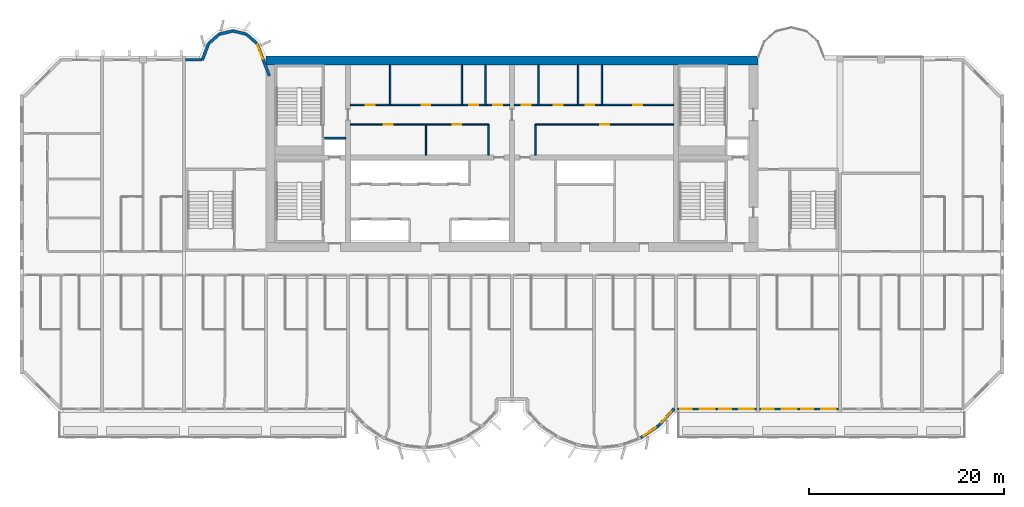
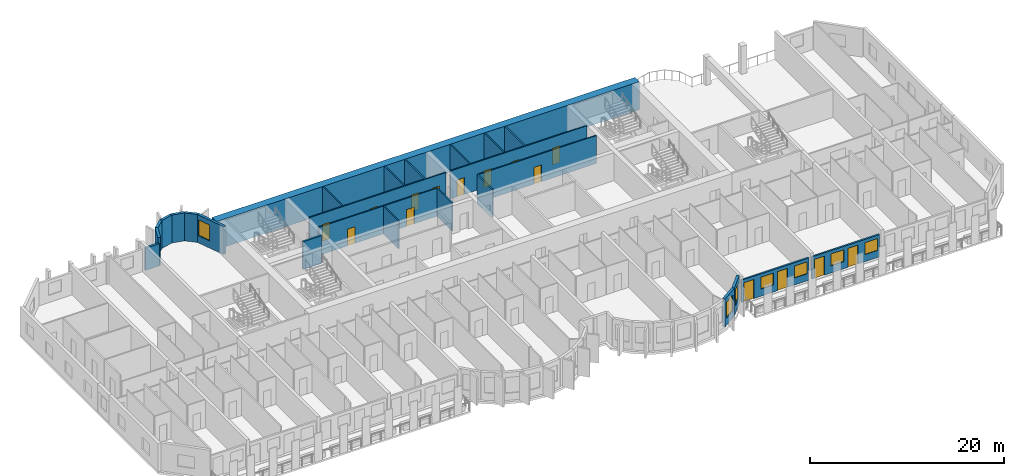
# One storey, part 8 of 15: 26 walls, 15 doors, 7 windows, 22 openings.
"""IFC4 building model written with IfcOpenShell, lengths in metres."""

from ifc_helpers import new_model, si_unit, direction, frame, frame_2d, origin, place, context, subcontext, project, spatial, rectangle, extrude, source, transform, mapped, material, layer, layer_set, type_object, element, fill, save


model = new_model("IFC4")

# Units and contexts
model_context = context("Model", 3, precision=1e-05, world=origin(), true_north=direction((0.0, 1.0)))
body_context = subcontext(model_context, "Body", "Model", "MODEL_VIEW")
ifc_project = project(units=[si_unit("LENGTHUNIT", "METRE"), si_unit("AREAUNIT", "SQUARE_METRE"), si_unit("VOLUMEUNIT", "CUBIC_METRE"), si_unit("PLANEANGLEUNIT", "RADIAN"), si_unit("MASSUNIT", "GRAM", prefix="KILO")], contexts=[model_context])

# Site, building, storey
site_placement = place(None, origin())
site = spatial("IfcSite", under=ifc_project, at=site_placement, CompositionType="ELEMENT")
building_placement = place(site_placement, origin())
building = spatial("IfcBuilding", under=site, at=building_placement, Name="Vanashikhar Sky Hotel", CompositionType="ELEMENT")
storey_placement = place(building_placement, frame((0.0, 0.0, 106.60009765625)))
storey = spatial("IfcBuildingStorey", under=building, at=storey_placement, Name="L25", CompositionType="ELEMENT", Elevation=106.60009765625)

# Wall
ifc_material_1 = material(Name="Concrete M70", Category="concrete")
ifc_layer_1 = layer(ifc_material_1, 0.89990234375)
ifc_layer_set_1 = layer_set([ifc_layer_1], Name="RC core shell wall 900 Concrete M70")
wall_type_1 = type_object("IfcWallType", Name="RC core shell wall 900 Concrete M70", PredefinedType="SHEAR", material=ifc_layer_set_1)
shared_shape_1 = source(origin(), body_context, "Body", "SweptSolid", [
    extrude(rectangle(XDim=50.400146484375, YDim=0.89990234375, at=frame_2d((25.2001953125, 0.0))), origin(), (0.0, 0.0, 1.0), 3.52001953125),
])
wall_1_placement = place(storey_placement, frame((25.199951171875, 41.550048828125, 0.0), z_axis=(0.0, 0.0, 1.0), x_axis=(1.0, 0.0, 0.0)))
element("IfcWall", 1, at=wall_1_placement, inside=storey, type_object=wall_type_1, Name="KW-L25-KN", PredefinedType="SHEAR", context=body_context, shape_type="MappedRepresentation", body=[
    mapped(shared_shape_1, transform((0.0, 0.0, 0.0), scale=1.0)),
])

# Wall, opening, window
ifc_material_2 = material(Name="Concrete M50", Category="concrete")
ifc_layer_2 = layer(ifc_material_2, 0.300048828125)
ifc_layer_set_2 = layer_set([ifc_layer_2], Name="Lobe wall 300")
wall_type_2 = type_object("IfcWallType", Name="Lobe wall 300", PredefinedType="SOLIDWALL", material=ifc_layer_set_2)
shared_shape_2 = source(origin(), body_context, "Body", "SweptSolid", [
    extrude(rectangle(XDim=2.398193359375, YDim=0.300048828125, at=frame_2d((1.19921875, 0.0))), origin(), (0.0, 0.0, 1.0), 3.52001953125),
])
wall_2_placement = place(storey_placement, frame((65.404296875, 4.13134765625, 0.0), z_axis=(0.0, 0.0, 1.0), x_axis=(0.675374189419, 0.737475222815, 0.0)))
wall_2 = element("IfcWall", 2, at=wall_2_placement, inside=storey, type_object=wall_type_2, Name="Lobe wall", PredefinedType="SOLIDWALL", context=body_context, shape_type="MappedRepresentation", body=[
    mapped(shared_shape_2, transform((0.0, 0.0, 0.0), scale=1.0)),
])
shared_shape_3 = source(origin(), body_context, "Body", "SweptSolid", [
    extrude(rectangle(XDim=1.5, YDim=2.0, at=frame_2d((0.75, 1.0))), frame((0.0, 0.16015625, 0.0), z_axis=(0.0, -1.0, 0.0), x_axis=(1.0, 0.0, 0.0)), (0.0, 0.0, 1.0), 0.320068359375),
])
opening_1_placement = place(wall_2_placement, frame((0.44921875, 0.0, 0.89990234375)))
opening_1 = element("IfcOpeningElement", 3, at=opening_1_placement, cuts=wall_2, Name="Opening WN-2", PredefinedType="OPENING", context=body_context, shape_type="MappedRepresentation", body=[
    mapped(shared_shape_3, transform((0.0, 0.0, 0.0), scale=1.0)),
])
ifc_material_3 = material(Name="Glass", Category="glass")
window_type_1 = type_object("IfcWindowType", Name="Lobe window 1500 x 2000", PartitioningType="SINGLE_PANEL", PredefinedType="WINDOW", material=ifc_material_3)
shared_shape_4 = source(origin(), body_context, "Body", "SweptSolid", [
    extrude(rectangle(XDim=1.5, YDim=2.0, at=frame_2d((0.75, 1.0))), frame((0.0, 0.030029296875, 0.0), z_axis=(0.0, -1.0, 0.0), x_axis=(1.0, 0.0, 0.0)), (0.0, 0.0, 1.0), 0.06005859375),
])
window_1_placement = place(opening_1_placement, origin())
window_1 = element("IfcWindow", 4, at=window_1_placement, inside=storey, type_object=window_type_1, Name="Window WN-2", OverallHeight=2.0, OverallWidth=1.5, PartitioningType="SINGLE_PANEL", PredefinedType="WINDOW", context=body_context, shape_type="MappedRepresentation", body=[
    mapped(shared_shape_4, transform((0.0, 0.0, 0.0), scale=1.0)),
])
fill(opening_1, window_1)

shared_shape_5 = source(origin(), body_context, "Body", "SweptSolid", [
    extrude(rectangle(XDim=2.17578125, YDim=0.300048828125, at=frame_2d((1.087890625, 0.0))), origin(), (0.0, 0.0, 1.0), 3.52001953125),
])
wall_3_placement = place(storey_placement, frame((63.59912109375, 2.91650390625, 0.0), z_axis=(0.0, 0.0, 1.0), x_axis=(0.829625727223, 0.558319937607, 0.0)))
wall_3 = element("IfcWall", 5, at=wall_3_placement, inside=storey, type_object=wall_type_2, Name="Lobe wall", PredefinedType="SOLIDWALL", context=body_context, shape_type="MappedRepresentation", body=[
    mapped(shared_shape_5, transform((0.0, 0.0, 0.0), scale=1.0)),
])
opening_2_placement = place(wall_3_placement, frame((0.337890625, 0.0, 0.89990234375)))
opening_2 = element("IfcOpeningElement", 6, at=opening_2_placement, cuts=wall_3, Name="Opening WN-2", PredefinedType="OPENING", context=body_context, shape_type="MappedRepresentation", body=[
    mapped(shared_shape_3, transform((0.0, 0.0, 0.0), scale=1.0)),
])
window_2_placement = place(opening_2_placement, origin())
window_2 = element("IfcWindow", 7, at=window_2_placement, inside=storey, type_object=window_type_1, Name="Window WN-2", OverallHeight=2.0, OverallWidth=1.5, PartitioningType="SINGLE_PANEL", PredefinedType="WINDOW", context=body_context, shape_type="MappedRepresentation", body=[
    mapped(shared_shape_4, transform((0.0, 0.0, 0.0), scale=1.0)),
])
fill(opening_2, window_2)

shared_shape_6 = source(origin(), body_context, "Body", "SweptSolid", [
    extrude(rectangle(XDim=3.55908203125, YDim=0.300048828125, at=frame_2d((1.779541015625, 0.0))), origin(), (0.0, 0.0, 1.0), 3.52001953125),
])
wall_4_placement = place(storey_placement, frame((25.550048828125, 39.968505859375, 0.0), z_axis=(0.0, 0.0, 1.0), x_axis=(-0.35779745313, 0.933799219604, 0.0)))
wall_4 = element("IfcWall", 8, at=wall_4_placement, inside=storey, type_object=wall_type_2, Name="Lobe wall", PredefinedType="SOLIDWALL", context=body_context, shape_type="MappedRepresentation", body=[
    mapped(shared_shape_6, transform((0.0, 0.0, 0.0), scale=1.0)),
])
opening_3_placement = place(wall_4_placement, frame((1.9033203125, 0.0, 0.89990234375)))
opening_3 = element("IfcOpeningElement", 9, at=opening_3_placement, cuts=wall_4, Name="Opening WN-2", PredefinedType="OPENING", context=body_context, shape_type="MappedRepresentation", body=[
    mapped(shared_shape_3, transform((0.0, 0.0, 0.0), scale=1.0)),
])
window_3_placement = place(opening_3_placement, origin())
window_3 = element("IfcWindow", 10, at=window_3_placement, inside=storey, type_object=window_type_1, Name="Window WN-2", OverallHeight=2.0, OverallWidth=1.5, PartitioningType="SINGLE_PANEL", PredefinedType="WINDOW", context=body_context, shape_type="MappedRepresentation", body=[
    mapped(shared_shape_4, transform((0.0, 0.0, 0.0), scale=1.0)),
])
fill(opening_3, window_3)

# Walls
shared_shape_7 = source(origin(), body_context, "Body", "SweptSolid", [
    extrude(rectangle(XDim=1.440185546875, YDim=0.300048828125, at=frame_2d((0.72021484375, 0.0))), origin(), (0.0, 0.0, 1.0), 3.52001953125),
])
wall_5_placement = place(storey_placement, frame((24.276611328125, 43.2919921875, 0.0), z_axis=(0.0, 0.0, 1.0), x_axis=(-0.749649827867, 0.661834673902, 0.0)))
element("IfcWall", 11, at=wall_5_placement, inside=storey, type_object=wall_type_2, Name="Lobe wall", PredefinedType="SOLIDWALL", context=body_context, shape_type="MappedRepresentation", body=[
    mapped(shared_shape_7, transform((0.0, 0.0, 0.0), scale=1.0)),
])
shared_shape_8 = source(origin(), body_context, "Body", "SweptSolid", [
    extrude(rectangle(XDim=1.4384765625, YDim=0.300048828125, at=frame_2d((0.71923828125, 0.0))), origin(), (0.0, 0.0, 1.0), 3.52001953125),
])
wall_6_placement = place(storey_placement, frame((23.197021484375, 44.2451171875, 0.0), z_axis=(0.0, 0.0, 1.0), x_axis=(-0.971152283879, 0.238460146601, 0.0)))
element("IfcWall", 12, at=wall_6_placement, inside=storey, type_object=wall_type_2, Name="Lobe wall", PredefinedType="SOLIDWALL", context=body_context, shape_type="MappedRepresentation", body=[
    mapped(shared_shape_8, transform((0.0, 0.0, 0.0), scale=1.0)),
])
shared_shape_9 = source(origin(), body_context, "Body", "SweptSolid", [
    extrude(rectangle(XDim=1.438720703125, YDim=0.300048828125, at=frame_2d((0.71923828125, 0.0))), origin(), (0.0, 0.0, 1.0), 3.52001953125),
])
wall_7_placement = place(storey_placement, frame((21.800048828125, 44.588134765625, 0.0), z_axis=(0.0, 0.0, 1.0), x_axis=(-0.971161932466, -0.238420848351, 0.0)))
element("IfcWall", 13, at=wall_7_placement, inside=storey, type_object=wall_type_2, Name="Lobe wall", PredefinedType="SOLIDWALL", context=body_context, shape_type="MappedRepresentation", body=[
    mapped(shared_shape_9, transform((0.0, 0.0, 0.0), scale=1.0)),
])
shared_shape_10 = source(origin(), body_context, "Body", "SweptSolid", [
    extrude(rectangle(XDim=1.43994140625, YDim=0.300048828125, at=frame_2d((0.719970703125, 0.0))), origin(), (0.0, 0.0, 1.0), 3.52001953125),
])
wall_8_placement = place(storey_placement, frame((20.40283203125, 44.2451171875, 0.0), z_axis=(0.0, 0.0, 1.0), x_axis=(-0.74957555648, -0.661918790432, 0.0)))
element("IfcWall", 14, at=wall_8_placement, inside=storey, type_object=wall_type_2, Name="Lobe wall", PredefinedType="SOLIDWALL", context=body_context, shape_type="MappedRepresentation", body=[
    mapped(shared_shape_10, transform((0.0, 0.0, 0.0), scale=1.0)),
])
shared_shape_11 = source(origin(), body_context, "Body", "SweptSolid", [
    extrude(rectangle(XDim=1.81201171875, YDim=0.300048828125, at=frame_2d((0.906005859375, 0.0))), origin(), (0.0, 0.0, 1.0), 3.52001953125),
])
wall_9_placement = place(storey_placement, frame((19.323486328125, 43.2919921875, 0.0), z_axis=(0.0, 0.0, 1.0), x_axis=(-0.357877270961, -0.93376863244, 0.0)))
element("IfcWall", 15, at=wall_9_placement, inside=storey, type_object=wall_type_2, Name="Lobe wall", PredefinedType="SOLIDWALL", context=body_context, shape_type="MappedRepresentation", body=[
    mapped(shared_shape_11, transform((0.0, 0.0, 0.0), scale=1.0)),
])

# Wall, openings, windows, doors
ifc_layer_3 = layer(ifc_material_2, 0.199951171875)
ifc_layer_set_3 = layer_set([ifc_layer_3], Name="Front window wall 200")
wall_type_3 = type_object("IfcWallType", Name="Front window wall 200", PredefinedType="SOLIDWALL", material=ifc_layer_set_3)
shared_shape_12 = source(origin(), body_context, "Body", "SweptSolid", [
    extrude(rectangle(XDim=8.050048828125, YDim=0.199951171875, at=frame_2d((4.02490234375, 0.0))), origin(), (0.0, 0.0, 1.0), 2.81982421875),
])
wall_10_placement = place(storey_placement, frame((67.375, 5.85009765625, 0.0), z_axis=(0.0, 0.0, 1.0), x_axis=(1.0, 0.0, 0.0)))
wall_10 = element("IfcWall", 16, at=wall_10_placement, inside=storey, type_object=wall_type_3, Name="Front window wall", PredefinedType="SOLIDWALL", context=body_context, shape_type="MappedRepresentation", body=[
    mapped(shared_shape_12, transform((0.0, 0.0, 0.0), scale=1.0)),
])
shared_shape_13 = source(origin(), body_context, "Body", "SweptSolid", [
    extrude(rectangle(XDim=1.199951171875, YDim=2.39990234375, at=frame_2d((0.60009765625, 1.199951171875))), frame((0.0, 0.10986328125, 0.0), z_axis=(0.0, -1.0, 0.0), x_axis=(1.0, 0.0, 0.0)), (0.0, 0.0, 1.0), 0.219970703125),
])
opening_4_placement = place(wall_10_placement, frame((0.25, 0.0, 0.0)))
opening_4 = element("IfcOpeningElement", 17, at=opening_4_placement, cuts=wall_10, Name="Opening BD-08", PredefinedType="OPENING", context=body_context, shape_type="MappedRepresentation", body=[
    mapped(shared_shape_13, transform((0.0, 0.0, 0.0), scale=1.0)),
])
shared_shape_14 = source(origin(), body_context, "Body", "SweptSolid", [
    extrude(rectangle(XDim=1.5, YDim=1.5, at=frame_2d((0.75, 0.75))), frame((0.0, 0.10986328125, 0.0), z_axis=(0.0, -1.0, 0.0), x_axis=(1.0, 0.0, 0.0)), (0.0, 0.0, 1.0), 0.219970703125),
])
opening_5_placement = place(wall_10_placement, frame((2.27490234375, 0.0, 0.89990234375)))
opening_5 = element("IfcOpeningElement", 18, at=opening_5_placement, cuts=wall_10, Name="Opening WN-1", PredefinedType="OPENING", context=body_context, shape_type="MappedRepresentation", body=[
    mapped(shared_shape_14, transform((0.0, 0.0, 0.0), scale=1.0)),
])
opening_6_placement = place(wall_10_placement, frame((4.27490234375, 0.0, 0.0)))
opening_6 = element("IfcOpeningElement", 19, at=opening_6_placement, cuts=wall_10, Name="Opening BD-09", PredefinedType="OPENING", context=body_context, shape_type="MappedRepresentation", body=[
    mapped(shared_shape_13, transform((0.0, 0.0, 0.0), scale=1.0)),
])
opening_7_placement = place(wall_10_placement, frame((6.300048828125, 0.0, 0.89990234375)))
opening_7 = element("IfcOpeningElement", 20, at=opening_7_placement, cuts=wall_10, Name="Opening WN-1", PredefinedType="OPENING", context=body_context, shape_type="MappedRepresentation", body=[
    mapped(shared_shape_14, transform((0.0, 0.0, 0.0), scale=1.0)),
])
window_type_2 = type_object("IfcWindowType", Name="Window 1500 x 1500", PartitioningType="SINGLE_PANEL", PredefinedType="WINDOW", material=ifc_material_3)
shared_shape_15 = source(origin(), body_context, "Body", "SweptSolid", [
    extrude(rectangle(XDim=1.5, YDim=1.5, at=frame_2d((0.75, 0.75))), frame((0.0, 0.030029296875, 0.0), z_axis=(0.0, -1.0, 0.0), x_axis=(1.0, 0.0, 0.0)), (0.0, 0.0, 1.0), 0.06005859375),
])
window_4_placement = place(opening_5_placement, origin())
window_4 = element("IfcWindow", 21, at=window_4_placement, inside=storey, type_object=window_type_2, Name="Window WN-1", OverallHeight=1.5, OverallWidth=1.5, PartitioningType="SINGLE_PANEL", PredefinedType="WINDOW", context=body_context, shape_type="MappedRepresentation", body=[
    mapped(shared_shape_15, transform((0.0, 0.0, 0.0), scale=1.0)),
])
fill(opening_5, window_4)
window_5_placement = place(opening_7_placement, origin())
window_5 = element("IfcWindow", 22, at=window_5_placement, inside=storey, type_object=window_type_2, Name="Window WN-1", OverallHeight=1.5, OverallWidth=1.5, PartitioningType="SINGLE_PANEL", PredefinedType="WINDOW", context=body_context, shape_type="MappedRepresentation", body=[
    mapped(shared_shape_15, transform((0.0, 0.0, 0.0), scale=1.0)),
])
fill(opening_7, window_5)
ifc_material_4 = material(Name="Aluminium", Category="aluminium")
door_type_1 = type_object("IfcDoorType", Name="Balcony sliding door 1200 x 2400", OperationType="NOTDEFINED", PredefinedType="DOOR", material=ifc_material_4)
shared_shape_16 = source(origin(), body_context, "Body", "SweptSolid", [
    extrude(rectangle(XDim=1.199951171875, YDim=2.39990234375, at=frame_2d((0.60009765625, 1.199951171875))), frame((0.0, 0.02490234375, 0.0), z_axis=(0.0, -1.0, 0.0), x_axis=(1.0, 0.0, 0.0)), (0.0, 0.0, 1.0), 0.050048828125),
])
door_1_placement = place(opening_4_placement, origin())
door_1 = element("IfcDoor", 23, at=door_1_placement, inside=storey, type_object=door_type_1, Name="Balcony sliding door", OperationType="SLIDING_TO_RIGHT", OverallHeight=2.39990234375, OverallWidth=1.199951171875, PredefinedType="DOOR", context=body_context, shape_type="MappedRepresentation", body=[
    mapped(shared_shape_16, transform((0.0, 0.0, 0.0), scale=1.0)),
])
fill(opening_4, door_1)
door_2_placement = place(opening_6_placement, origin())
door_2 = element("IfcDoor", 24, at=door_2_placement, inside=storey, type_object=door_type_1, Name="Balcony sliding door", OperationType="SLIDING_TO_LEFT", OverallHeight=2.39990234375, OverallWidth=1.199951171875, PredefinedType="DOOR", context=body_context, shape_type="MappedRepresentation", body=[
    mapped(shared_shape_16, transform((0.0, 0.0, 0.0), scale=1.0)),
])
fill(opening_6, door_2)

wall_11_placement = place(storey_placement, frame((75.77490234375, 5.85009765625, 0.0), z_axis=(0.0, 0.0, 1.0), x_axis=(1.0, 0.0, 0.0)))
wall_11 = element("IfcWall", 25, at=wall_11_placement, inside=storey, type_object=wall_type_3, Name="Front window wall", PredefinedType="SOLIDWALL", context=body_context, shape_type="MappedRepresentation", body=[
    mapped(shared_shape_12, transform((0.0, 0.0, 0.0), scale=1.0)),
])
opening_8_placement = place(wall_11_placement, frame((0.25, 0.0, 0.0)))
opening_8 = element("IfcOpeningElement", 26, at=opening_8_placement, cuts=wall_11, Name="Opening BD-10", PredefinedType="OPENING", context=body_context, shape_type="MappedRepresentation", body=[
    mapped(shared_shape_13, transform((0.0, 0.0, 0.0), scale=1.0)),
])
opening_9_placement = place(wall_11_placement, frame((2.27490234375, 0.0, 0.89990234375)))
opening_9 = element("IfcOpeningElement", 27, at=opening_9_placement, cuts=wall_11, Name="Opening WN-1", PredefinedType="OPENING", context=body_context, shape_type="MappedRepresentation", body=[
    mapped(shared_shape_14, transform((0.0, 0.0, 0.0), scale=1.0)),
])
opening_10_placement = place(wall_11_placement, frame((4.27490234375, 0.0, 0.0)))
opening_10 = element("IfcOpeningElement", 28, at=opening_10_placement, cuts=wall_11, Name="Opening BD-11", PredefinedType="OPENING", context=body_context, shape_type="MappedRepresentation", body=[
    mapped(shared_shape_13, transform((0.0, 0.0, 0.0), scale=1.0)),
])
opening_11_placement = place(wall_11_placement, frame((6.300048828125, 0.0, 0.89990234375)))
opening_11 = element("IfcOpeningElement", 29, at=opening_11_placement, cuts=wall_11, Name="Opening WN-1", PredefinedType="OPENING", context=body_context, shape_type="MappedRepresentation", body=[
    mapped(shared_shape_14, transform((0.0, 0.0, 0.0), scale=1.0)),
])
window_6_placement = place(opening_9_placement, origin())
window_6 = element("IfcWindow", 30, at=window_6_placement, inside=storey, type_object=window_type_2, Name="Window WN-1", OverallHeight=1.5, OverallWidth=1.5, PartitioningType="SINGLE_PANEL", PredefinedType="WINDOW", context=body_context, shape_type="MappedRepresentation", body=[
    mapped(shared_shape_15, transform((0.0, 0.0, 0.0), scale=1.0)),
])
fill(opening_9, window_6)
window_7_placement = place(opening_11_placement, origin())
window_7 = element("IfcWindow", 31, at=window_7_placement, inside=storey, type_object=window_type_2, Name="Window WN-1", OverallHeight=1.5, OverallWidth=1.5, PartitioningType="SINGLE_PANEL", PredefinedType="WINDOW", context=body_context, shape_type="MappedRepresentation", body=[
    mapped(shared_shape_15, transform((0.0, 0.0, 0.0), scale=1.0)),
])
fill(opening_11, window_7)
door_3_placement = place(opening_8_placement, origin())
door_3 = element("IfcDoor", 32, at=door_3_placement, inside=storey, type_object=door_type_1, Name="Balcony sliding door", OperationType="SLIDING_TO_RIGHT", OverallHeight=2.39990234375, OverallWidth=1.199951171875, PredefinedType="DOOR", context=body_context, shape_type="MappedRepresentation", body=[
    mapped(shared_shape_16, transform((0.0, 0.0, 0.0), scale=1.0)),
])
fill(opening_8, door_3)
door_4_placement = place(opening_10_placement, origin())
door_4 = element("IfcDoor", 33, at=door_4_placement, inside=storey, type_object=door_type_1, Name="Balcony sliding door", OperationType="SLIDING_TO_LEFT", OverallHeight=2.39990234375, OverallWidth=1.199951171875, PredefinedType="DOOR", context=body_context, shape_type="MappedRepresentation", body=[
    mapped(shared_shape_16, transform((0.0, 0.0, 0.0), scale=1.0)),
])
fill(opening_10, door_4)

# Walls
ifc_layer_4 = layer(ifc_material_2, 0.25)
ifc_layer_set_4 = layer_set([ifc_layer_4], Name="Rear and end board-marked wall 250")
wall_type_4 = type_object("IfcWallType", Name="Rear and end board-marked wall 250", PredefinedType="SOLIDWALL", material=ifc_layer_set_4)
shared_shape_17 = source(origin(), body_context, "Body", "SweptSolid", [
    extrude(rectangle(XDim=1.682861328125, YDim=0.25, at=frame_2d((0.84130859375, 0.0))), origin(), (0.0, 0.0, 1.0), 2.81982421875),
])
wall_12_placement = place(storey_placement, frame((18.657958984375, 41.625, 0.0), z_axis=(0.0, 0.0, 1.0), x_axis=(-1.0, 0.0, 0.0)))
element("IfcWall", 34, at=wall_12_placement, inside=storey, type_object=wall_type_4, Name="Rear board-marked wall", PredefinedType="SOLIDWALL", context=body_context, shape_type="MappedRepresentation", body=[
    mapped(shared_shape_17, transform((0.0, 0.0, 0.0), scale=1.0)),
])
ifc_material_5 = material(Name="Gypsum board partition")
ifc_layer_5 = layer(ifc_material_5, 0.14990234375)
ifc_layer_set_5 = layer_set([ifc_layer_5], Name="Service partition 150")
wall_type_5 = type_object("IfcWallType", Name="Service partition 150", PredefinedType="PARTITIONING", material=ifc_layer_set_5)
shared_shape_18 = source(origin(), body_context, "Body", "SweptSolid", [
    extrude(rectangle(XDim=3.14990234375, YDim=0.14990234375, at=frame_2d((1.574951171875, 0.0))), origin(), (0.0, 0.0, 1.0), 3.52001953125),
])
for number, where, z_axis, x_axis, name in (
    (35, (48.0, 31.85009765625, 0.0), (0.0, 0.0, 1.0), (0.0, 1.0, 0.0), "Service partition 150"),
    (36, (41.591064453125, 31.85009765625, 0.0), (0.0, 0.0, 1.0), (0.0, 1.0, 0.0), "Service partition 150"),
    (37, (52.800048828125, 31.85009765625, 0.0), (0.0, 0.0, 1.0), (0.0, 1.0, 0.0), "Service partition 150"),
):
    element("IfcWall", number, at=place(storey_placement, frame(where, z_axis=z_axis, x_axis=x_axis)), inside=storey, type_object=wall_type_5, Name=name, PredefinedType="PARTITIONING", context=body_context, shape_type="MappedRepresentation", body=[
        mapped(shared_shape_18, transform((0.0, 0.0, 0.0), scale=1.0)),
    ])

# Wall, openings, doors
shared_shape_19 = source(origin(), body_context, "Body", "SweptSolid", [
    extrude(rectangle(XDim=14.14990234375, YDim=0.14990234375, at=frame_2d((7.074951171875, 0.0))), origin(), (0.0, 0.0, 1.0), 3.52001953125),
])
wall_13_placement = place(storey_placement, frame((33.85009765625, 35.0, 0.0), z_axis=(0.0, 0.0, 1.0), x_axis=(1.0, 0.0, 0.0)))
wall_13 = element("IfcWall", 38, at=wall_13_placement, inside=storey, type_object=wall_type_5, Name="Service partition 150", PredefinedType="PARTITIONING", context=body_context, shape_type="MappedRepresentation", body=[
    mapped(shared_shape_19, transform((0.0, 0.0, 0.0), scale=1.0)),
])
shared_shape_20 = source(origin(), body_context, "Body", "SweptSolid", [
    extrude(rectangle(XDim=0.89990234375, YDim=2.10009765625, at=frame_2d((0.449951171875, 1.050048828125))), frame((0.0, 0.0849609375, 0.0), z_axis=(0.0, -1.0, 0.0), x_axis=(1.0, 0.0, 0.0)), (0.0, 0.0, 1.0), 0.169921875),
])
opening_12_placement = place(wall_13_placement, frame((3.4208984375, 0.0, 0.0)))
opening_12 = element("IfcOpeningElement", 39, at=opening_12_placement, cuts=wall_13, Name="Opening DC-4-A", PredefinedType="OPENING", context=body_context, shape_type="MappedRepresentation", body=[
    mapped(shared_shape_20, transform((0.0, 0.0, 0.0), scale=1.0)),
])
opening_13_placement = place(wall_13_placement, frame((10.4580078125, 0.0, 0.0)))
opening_13 = element("IfcOpeningElement", 40, at=opening_13_placement, cuts=wall_13, Name="Opening DC-4-A", PredefinedType="OPENING", context=body_context, shape_type="MappedRepresentation", body=[
    mapped(shared_shape_20, transform((0.0, 0.0, 0.0), scale=1.0)),
])
ifc_material_6 = material(Name="Steel", Category="steel")
door_type_2 = type_object("IfcDoorType", Name="Service door 900 FD60", OperationType="NOTDEFINED", PredefinedType="DOOR", material=ifc_material_6)
shared_shape_21 = source(origin(), body_context, "Body", "SweptSolid", [
    extrude(rectangle(XDim=0.89990234375, YDim=2.10009765625, at=frame_2d((0.449951171875, 1.050048828125))), frame((0.0, 0.02490234375, 0.0), z_axis=(0.0, -1.0, 0.0), x_axis=(1.0, 0.0, 0.0)), (0.0, 0.0, 1.0), 0.050048828125),
])
door_5_placement = place(opening_12_placement, origin())
door_5 = element("IfcDoor", 41, at=door_5_placement, inside=storey, type_object=door_type_2, Name="Service door 900 FD60", OperationType="SINGLE_SWING_RIGHT", OverallHeight=2.10009765625, OverallWidth=0.89990234375, PredefinedType="DOOR", context=body_context, shape_type="MappedRepresentation", body=[
    mapped(shared_shape_21, transform((0.0, 0.0, 0.0), scale=1.0)),
])
fill(opening_12, door_5)
door_6_placement = place(opening_13_placement, origin())
door_6 = element("IfcDoor", 42, at=door_6_placement, inside=storey, type_object=door_type_2, Name="Service door 900 FD60", OperationType="SINGLE_SWING_RIGHT", OverallHeight=2.10009765625, OverallWidth=0.89990234375, PredefinedType="DOOR", context=body_context, shape_type="MappedRepresentation", body=[
    mapped(shared_shape_21, transform((0.0, 0.0, 0.0), scale=1.0)),
])
fill(opening_13, door_6)

# Wall, opening, door
wall_14_placement = place(storey_placement, frame((66.949951171875, 35.0, 0.0), z_axis=(0.0, 0.0, 1.0), x_axis=(-1.0, 0.0, 0.0)))
wall_14 = element("IfcWall", 43, at=wall_14_placement, inside=storey, type_object=wall_type_5, Name="Service partition 150", PredefinedType="PARTITIONING", context=body_context, shape_type="MappedRepresentation", body=[
    mapped(shared_shape_19, transform((0.0, 0.0, 0.0), scale=1.0)),
])
opening_14_placement = place(wall_14_placement, frame((6.587890625, 0.0, 0.0)))
opening_14 = element("IfcOpeningElement", 44, at=opening_14_placement, cuts=wall_14, Name="Opening DC-4-A", PredefinedType="OPENING", context=body_context, shape_type="MappedRepresentation", body=[
    mapped(shared_shape_20, transform((0.0, 0.0, 0.0), scale=1.0)),
])
door_7_placement = place(opening_14_placement, origin())
door_7 = element("IfcDoor", 45, at=door_7_placement, inside=storey, type_object=door_type_2, Name="Service door 900 FD60", OperationType="SINGLE_SWING_RIGHT", OverallHeight=2.10009765625, OverallWidth=0.89990234375, PredefinedType="DOOR", context=body_context, shape_type="MappedRepresentation", body=[
    mapped(shared_shape_21, transform((0.0, 0.0, 0.0), scale=1.0)),
])
fill(opening_14, door_7)

# Wall, openings, doors
shared_shape_22 = source(origin(), body_context, "Body", "SweptSolid", [
    extrude(rectangle(XDim=16.2998046875, YDim=0.14990234375, at=frame_2d((8.14990234375, 0.0))), origin(), (0.0, 0.0, 1.0), 3.52001953125),
])
wall_15_placement = place(storey_placement, frame((33.85009765625, 37.0, 0.0), z_axis=(0.0, 0.0, 1.0), x_axis=(1.0, 0.0, 0.0)))
wall_15 = element("IfcWall", 46, at=wall_15_placement, inside=storey, type_object=wall_type_5, Name="Service partition 150", PredefinedType="PARTITIONING", context=body_context, shape_type="MappedRepresentation", body=[
    mapped(shared_shape_22, transform((0.0, 0.0, 0.0), scale=1.0)),
])
opening_15_placement = place(wall_15_placement, frame((1.587890625, 0.0, 0.0)))
opening_15 = element("IfcOpeningElement", 47, at=opening_15_placement, cuts=wall_15, Name="Opening DC-4-A", PredefinedType="OPENING", context=body_context, shape_type="MappedRepresentation", body=[
    mapped(shared_shape_20, transform((0.0, 0.0, 0.0), scale=1.0)),
])
opening_16_placement = place(wall_15_placement, frame((7.29296875, 0.0, 0.0)))
opening_16 = element("IfcOpeningElement", 48, at=opening_16_placement, cuts=wall_15, Name="Opening DC-4-A", PredefinedType="OPENING", context=body_context, shape_type="MappedRepresentation", body=[
    mapped(shared_shape_20, transform((0.0, 0.0, 0.0), scale=1.0)),
])
opening_17_placement = place(wall_15_placement, frame((12.18310546875, 0.0, 0.0)))
opening_17 = element("IfcOpeningElement", 49, at=opening_17_placement, cuts=wall_15, Name="Opening DC-4-A", PredefinedType="OPENING", context=body_context, shape_type="MappedRepresentation", body=[
    mapped(shared_shape_20, transform((0.0, 0.0, 0.0), scale=1.0)),
])
opening_18_placement = place(wall_15_placement, frame((14.626953125, 0.0, 0.0)))
opening_18 = element("IfcOpeningElement", 50, at=opening_18_placement, cuts=wall_15, Name="Opening DC-4-A", PredefinedType="OPENING", context=body_context, shape_type="MappedRepresentation", body=[
    mapped(shared_shape_20, transform((0.0, 0.0, 0.0), scale=1.0)),
])
door_8_placement = place(opening_15_placement, origin())
door_8 = element("IfcDoor", 51, at=door_8_placement, inside=storey, type_object=door_type_2, Name="Service door 900 FD60", OperationType="SINGLE_SWING_RIGHT", OverallHeight=2.10009765625, OverallWidth=0.89990234375, PredefinedType="DOOR", context=body_context, shape_type="MappedRepresentation", body=[
    mapped(shared_shape_21, transform((0.0, 0.0, 0.0), scale=1.0)),
])
fill(opening_15, door_8)
door_9_placement = place(opening_16_placement, origin())
door_9 = element("IfcDoor", 52, at=door_9_placement, inside=storey, type_object=door_type_2, Name="Service door 900 FD60", OperationType="SINGLE_SWING_RIGHT", OverallHeight=2.10009765625, OverallWidth=0.89990234375, PredefinedType="DOOR", context=body_context, shape_type="MappedRepresentation", body=[
    mapped(shared_shape_21, transform((0.0, 0.0, 0.0), scale=1.0)),
])
fill(opening_16, door_9)
door_10_placement = place(opening_17_placement, origin())
door_10 = element("IfcDoor", 53, at=door_10_placement, inside=storey, type_object=door_type_2, Name="Service door 900 FD60", OperationType="SINGLE_SWING_RIGHT", OverallHeight=2.10009765625, OverallWidth=0.89990234375, PredefinedType="DOOR", context=body_context, shape_type="MappedRepresentation", body=[
    mapped(shared_shape_21, transform((0.0, 0.0, 0.0), scale=1.0)),
])
fill(opening_17, door_10)
door_11_placement = place(opening_18_placement, origin())
door_11 = element("IfcDoor", 54, at=door_11_placement, inside=storey, type_object=door_type_2, Name="Service door 900 FD60", OperationType="SINGLE_SWING_LEFT", OverallHeight=2.10009765625, OverallWidth=0.89990234375, PredefinedType="DOOR", context=body_context, shape_type="MappedRepresentation", body=[
    mapped(shared_shape_21, transform((0.0, 0.0, 0.0), scale=1.0)),
])
fill(opening_18, door_11)

# Walls
shared_shape_23 = source(origin(), body_context, "Body", "SweptSolid", [
    extrude(rectangle(XDim=4.10009765625, YDim=0.14990234375, at=frame_2d((2.050048828125, 0.0))), origin(), (0.0, 0.0, 1.0), 3.52001953125),
])
for number, where, z_axis, x_axis, name in (
    (55, (37.925048828125, 37.0, 0.0), (0.0, 0.0, 1.0), (0.0, 1.0, 0.0), "Service partition 150"),
    (56, (45.260009765625, 37.0, 0.0), (0.0, 0.0, 1.0), (0.0, 1.0, 0.0), "Service partition 150"),
    (57, (47.705078125, 37.0, 0.0), (0.0, 0.0, 1.0), (0.0, 1.0, 0.0), "Service partition 150"),
    (58, (59.614990234375, 37.0, 0.0), (0.0, 0.0, 1.0), (0.0, 1.0, 0.0), "Service partition 150"),
    (59, (57.169921875, 37.0, 0.0), (0.0, 0.0, 1.0), (0.0, 1.0, 0.0), "Service partition 150"),
    (60, (53.094970703125, 37.0, 0.0), (0.0, 0.0, 1.0), (0.0, 1.0, 0.0), "Service partition 150"),
):
    element("IfcWall", number, at=place(storey_placement, frame(where, z_axis=z_axis, x_axis=x_axis)), inside=storey, type_object=wall_type_5, Name=name, PredefinedType="PARTITIONING", context=body_context, shape_type="MappedRepresentation", body=[
        mapped(shared_shape_23, transform((0.0, 0.0, 0.0), scale=1.0)),
    ])

# Wall, openings, doors
shared_shape_24 = source(origin(), body_context, "Body", "SweptSolid", [
    extrude(rectangle(XDim=16.300048828125, YDim=0.14990234375, at=frame_2d((8.14990234375, 0.0))), origin(), (0.0, 0.0, 1.0), 3.52001953125),
])
wall_16_placement = place(storey_placement, frame((66.949951171875, 37.0, 0.0), z_axis=(0.0, 0.0, 1.0), x_axis=(-1.0, 0.0, 0.0)))
wall_16 = element("IfcWall", 61, at=wall_16_placement, inside=storey, type_object=wall_type_5, Name="Service partition 150", PredefinedType="PARTITIONING", context=body_context, shape_type="MappedRepresentation", body=[
    mapped(shared_shape_24, transform((0.0, 0.0, 0.0), scale=1.0)),
])
opening_19_placement = place(wall_16_placement, frame((3.218017578125, 0.0, 0.0)))
opening_19 = element("IfcOpeningElement", 62, at=opening_19_placement, cuts=wall_16, Name="Opening DC-4-A", PredefinedType="OPENING", context=body_context, shape_type="MappedRepresentation", body=[
    mapped(shared_shape_20, transform((0.0, 0.0, 0.0), scale=1.0)),
])
opening_20_placement = place(wall_16_placement, frame((8.10791015625, 0.0, 0.0)))
opening_20 = element("IfcOpeningElement", 63, at=opening_20_placement, cuts=wall_16, Name="Opening DC-4-A", PredefinedType="OPENING", context=body_context, shape_type="MappedRepresentation", body=[
    mapped(shared_shape_20, transform((0.0, 0.0, 0.0), scale=1.0)),
])
opening_21_placement = place(wall_16_placement, frame((11.367919921875, 0.0, 0.0)))
opening_21 = element("IfcOpeningElement", 64, at=opening_21_placement, cuts=wall_16, Name="Opening DC-4-A", PredefinedType="OPENING", context=body_context, shape_type="MappedRepresentation", body=[
    mapped(shared_shape_20, transform((0.0, 0.0, 0.0), scale=1.0)),
])
opening_22_placement = place(wall_16_placement, frame((14.626953125, 0.0, 0.0)))
opening_22 = element("IfcOpeningElement", 65, at=opening_22_placement, cuts=wall_16, Name="Opening DC-4-A", PredefinedType="OPENING", context=body_context, shape_type="MappedRepresentation", body=[
    mapped(shared_shape_20, transform((0.0, 0.0, 0.0), scale=1.0)),
])
door_12_placement = place(opening_19_placement, origin())
door_12 = element("IfcDoor", 66, at=door_12_placement, inside=storey, type_object=door_type_2, Name="Service door 900 FD60", OperationType="SINGLE_SWING_LEFT", OverallHeight=2.10009765625, OverallWidth=0.89990234375, PredefinedType="DOOR", context=body_context, shape_type="MappedRepresentation", body=[
    mapped(shared_shape_21, transform((0.0, 0.0, 0.0), scale=1.0)),
])
fill(opening_19, door_12)
door_13_placement = place(opening_20_placement, origin())
door_13 = element("IfcDoor", 67, at=door_13_placement, inside=storey, type_object=door_type_2, Name="Service door 900 FD60", OperationType="SINGLE_SWING_LEFT", OverallHeight=2.10009765625, OverallWidth=0.89990234375, PredefinedType="DOOR", context=body_context, shape_type="MappedRepresentation", body=[
    mapped(shared_shape_21, transform((0.0, 0.0, 0.0), scale=1.0)),
])
fill(opening_20, door_13)
door_14_placement = place(opening_21_placement, origin())
door_14 = element("IfcDoor", 68, at=door_14_placement, inside=storey, type_object=door_type_2, Name="Service door 900 FD60", OperationType="SINGLE_SWING_LEFT", OverallHeight=2.10009765625, OverallWidth=0.89990234375, PredefinedType="DOOR", context=body_context, shape_type="MappedRepresentation", body=[
    mapped(shared_shape_21, transform((0.0, 0.0, 0.0), scale=1.0)),
])
fill(opening_21, door_14)
door_15_placement = place(opening_22_placement, origin())
door_15 = element("IfcDoor", 69, at=door_15_placement, inside=storey, type_object=door_type_2, Name="Service door 900 FD60", OperationType="SINGLE_SWING_RIGHT", OverallHeight=2.10009765625, OverallWidth=0.89990234375, PredefinedType="DOOR", context=body_context, shape_type="MappedRepresentation", body=[
    mapped(shared_shape_21, transform((0.0, 0.0, 0.0), scale=1.0)),
])
fill(opening_22, door_15)

# Wall
ifc_material_7 = material(Name="Concrete M40", Category="concrete")
ifc_layer_6 = layer(ifc_material_7, 0.199951171875)
ifc_layer_set_6 = layer_set([ifc_layer_6], Name="Shaft wall 200")
wall_type_6 = type_object("IfcWallType", Name="Shaft wall 200", PredefinedType="SOLIDWALL", material=ifc_layer_set_6)
shared_shape_25 = source(origin(), body_context, "Body", "SweptSolid", [
    extrude(rectangle(XDim=2.2001953125, YDim=0.199951171875, at=frame_2d((1.10009765625, 0.0))), origin(), (0.0, 0.0, 1.0), 3.52001953125),
])
wall_17_placement = place(storey_placement, frame((31.14990234375, 33.60009765625, 0.0), z_axis=(0.0, 0.0, 1.0), x_axis=(1.0, 0.0, 0.0)))
element("IfcWall", 70, at=wall_17_placement, inside=storey, type_object=wall_type_6, Name="Shaft wall 200", PredefinedType="SOLIDWALL", context=body_context, shape_type="MappedRepresentation", body=[
    mapped(shared_shape_25, transform((0.0, 0.0, 0.0), scale=1.0)),
])

save(model, "model.ifc")
